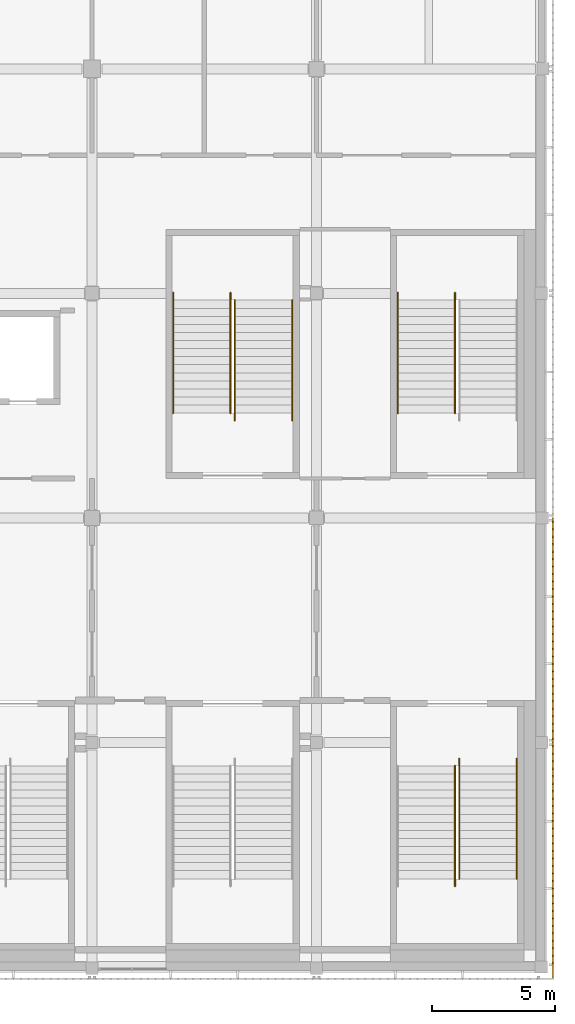
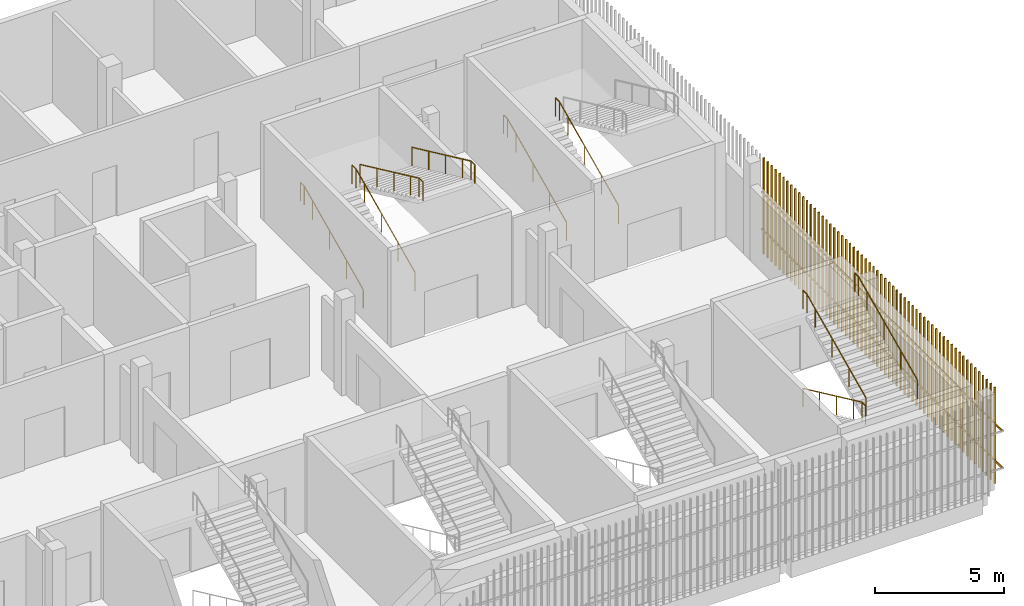
# One storey, part 117 of 124: 9 railings, 2 shading devices.
"""IFC4 building model written with IfcOpenShell, lengths in metres."""

from ifc_helpers import new_model, si_unit, direction, frame, origin, origin_2d, place, context, subcontext, project, spatial, rectangle, circle, extrude, material, type_object, element, save


model = new_model("IFC4")

# Units and contexts
model_context = context("Model", 3, precision=1e-05, world=origin(), true_north=direction((0.0, 1.0)))
body_context = subcontext(model_context, "Body", "Model", "MODEL_VIEW")
ifc_project = project(units=[si_unit("LENGTHUNIT", "METRE"), si_unit("AREAUNIT", "SQUARE_METRE"), si_unit("VOLUMEUNIT", "CUBIC_METRE"), si_unit("PLANEANGLEUNIT", "RADIAN"), si_unit("MASSUNIT", "GRAM", prefix="KILO")], contexts=[model_context])

# Site, building, storey
site_placement = place(None, origin())
site = spatial("IfcSite", under=ifc_project, at=site_placement, CompositionType="ELEMENT")
building_placement = place(site_placement, origin())
building = spatial("IfcBuilding", under=site, at=building_placement, Name="Shirokan Park Arena", CompositionType="ELEMENT")
storey_placement = place(building_placement, frame((0.0, 0.0, 20.02001953125)))
storey = spatial("IfcBuildingStorey", under=building, at=storey_placement, Name="L04", CompositionType="ELEMENT", Elevation=20.02001953125)

# Railings
ifc_material_1 = material(Name="Stainless steel", Category="steel")
railing_type = type_object("IfcRailingType", Name="Stair handrail 900", PredefinedType="HANDRAIL", material=ifc_material_1)
railing_1_placement = place(storey_placement, frame((142.110107421875, 8.14990234375, 0.151611328125)))
element("IfcRailing", 1, at=railing_1_placement, inside=storey, type_object=railing_type, Name="Handrail Exit Stair 2.A L04 to L05", PredefinedType="HANDRAIL", context=body_context, shape_type="SweptSolid", body=[
    extrude(circle(Radius=0.02392578125, at=origin_2d()), frame((0.0, 0.0, 0.8759765625), z_axis=(0.0, -0.906999720516, 0.421131222998), x_axis=(1.0, 0.0, 0.0)), (0.0, 0.0, 1.0), 1.440673828125),
    extrude(circle(Radius=0.02392578125, at=origin_2d()), frame((0.0, -1.306640625, 1.482421875), z_axis=(0.0, -0.907029769225, 0.421066500378), x_axis=(1.0, 0.0, 0.0)), (0.0, 0.0, 1.0), 1.44091796875),
    extrude(circle(Radius=0.02392578125, at=origin_2d()), frame((0.0, -2.613525390625, 2.08935546875), z_axis=(0.0, -0.907029769225, 0.421066500378), x_axis=(1.0, 0.0, 0.0)), (0.0, 0.0, 1.0), 1.44091796875),
    extrude(circle(Radius=0.02392578125, at=origin_2d()), frame((0.0, -3.92041015625, 2.69580078125), z_axis=(0.0, -0.907064445915, 0.420991794405), x_axis=(1.0, 0.0, 0.0)), (0.0, 0.0, 1.0), 0.72021484375),
    extrude(circle(Radius=0.02392578125, at=origin_2d()), frame((0.0, -4.57373046875, 2.9990234375), z_axis=(0.0, -1.0, 0.0), x_axis=(1.0, 0.0, 0.0)), (0.0, 0.0, 1.0), 0.300048828125),
    extrude(circle(Radius=0.02099609375, at=origin_2d()), origin(), (0.0, 0.0, 1.0), 0.851806640625),
    extrude(circle(Radius=0.02099609375, at=origin_2d()), frame((0.0, -1.306640625, 0.606689453125)), (0.0, 0.0, 1.0), 0.851806640625),
    extrude(circle(Radius=0.02099609375, at=origin_2d()), frame((0.0, -2.613525390625, 1.21337890625)), (0.0, 0.0, 1.0), 0.851806640625),
    extrude(circle(Radius=0.02099609375, at=origin_2d()), frame((0.0, -3.92041015625, 1.820068359375)), (0.0, 0.0, 1.0), 0.851806640625),
    extrude(circle(Radius=0.02099609375, at=origin_2d()), frame((0.0, -4.57373046875, 2.123291015625)), (0.0, 0.0, 1.0), 0.851806640625),
    extrude(circle(Radius=0.02099609375, at=origin_2d()), frame((0.0, -4.873779296875, 2.123291015625)), (0.0, 0.0, 1.0), 0.851806640625),
])
railing_2_placement = place(storey_placement, frame((142.2900390625, 3.576171875, 2.4267578125)))
element("IfcRailing", 2, at=railing_2_placement, inside=storey, type_object=railing_type, Name="Handrail Exit Stair 2.A L04 to L05", PredefinedType="HANDRAIL", context=body_context, shape_type="SweptSolid", body=[
    extrude(circle(Radius=0.02392578125, at=origin_2d()), frame((0.0, 0.0, 0.8759765625), z_axis=(0.0, 0.907094476872, 0.420927083981), x_axis=(-1.0, 0.0, 0.0)), (0.0, 0.0, 1.0), 1.440673828125),
    extrude(circle(Radius=0.02392578125, at=origin_2d()), frame((0.0, 1.306884765625, 1.482421875), z_axis=(0.0, 0.906999720516, 0.421131222998), x_axis=(-1.0, 0.0, 0.0)), (0.0, 0.0, 1.0), 1.440673828125),
    extrude(circle(Radius=0.02392578125, at=origin_2d()), frame((0.0, 2.613525390625, 2.0888671875), z_axis=(0.0, 0.907029769225, 0.421066500378), x_axis=(-1.0, 0.0, 0.0)), (0.0, 0.0, 1.0), 1.44091796875),
    extrude(circle(Radius=0.02392578125, at=origin_2d()), frame((0.0, 3.92041015625, 2.69580078125), z_axis=(0.0, 0.906934982928, 0.421270621741), x_axis=(-1.0, 0.0, 0.0)), (0.0, 0.0, 1.0), 0.720458984375),
    extrude(circle(Radius=0.02392578125, at=origin_2d()), frame((0.0, 4.57373046875, 2.9990234375), z_axis=(0.0, 1.0, 0.0), x_axis=(-1.0, 0.0, 0.0)), (0.0, 0.0, 1.0), 0.300048828125),
    extrude(circle(Radius=0.02099609375, at=origin_2d()), origin(), (0.0, 0.0, 1.0), 0.851806640625),
    extrude(circle(Radius=0.02099609375, at=origin_2d()), frame((0.0, 1.306884765625, 0.6064453125)), (0.0, 0.0, 1.0), 0.851806640625),
    extrude(circle(Radius=0.02099609375, at=origin_2d()), frame((0.0, 2.613525390625, 1.213134765625)), (0.0, 0.0, 1.0), 0.851806640625),
    extrude(circle(Radius=0.02099609375, at=origin_2d()), frame((0.0, 3.92041015625, 1.81982421875)), (0.0, 0.0, 1.0), 0.851806640625),
    extrude(circle(Radius=0.02099609375, at=origin_2d()), frame((0.0, 4.57373046875, 2.123291015625)), (0.0, 0.0, 1.0), 0.851806640625),
    extrude(circle(Radius=0.02099609375, at=origin_2d()), frame((0.0, 4.873779296875, 2.123291015625)), (0.0, 0.0, 1.0), 0.851806640625),
])
railing_3_placement = place(storey_placement, frame((144.610107421875, 3.576171875, 2.4267578125)))
element("IfcRailing", 3, at=railing_3_placement, inside=storey, type_object=railing_type, Name="Handrail Exit Stair 2.A L04 to L05", PredefinedType="HANDRAIL", context=body_context, shape_type="SweptSolid", body=[
    extrude(circle(Radius=0.02392578125, at=origin_2d()), frame((0.0, 0.0, 0.8759765625), z_axis=(0.0, 0.907094476872, 0.420927083981), x_axis=(-1.0, 0.0, 0.0)), (0.0, 0.0, 1.0), 1.440673828125),
    extrude(circle(Radius=0.02392578125, at=origin_2d()), frame((0.0, 1.306884765625, 1.482421875), z_axis=(0.0, 0.906999720516, 0.421131222998), x_axis=(-1.0, 0.0, 0.0)), (0.0, 0.0, 1.0), 1.440673828125),
    extrude(circle(Radius=0.02392578125, at=origin_2d()), frame((0.0, 2.613525390625, 2.0888671875), z_axis=(0.0, 0.907029769225, 0.421066500378), x_axis=(-1.0, 0.0, 0.0)), (0.0, 0.0, 1.0), 1.44091796875),
    extrude(circle(Radius=0.02392578125, at=origin_2d()), frame((0.0, 3.92041015625, 2.69580078125), z_axis=(0.0, 0.906934982928, 0.421270621741), x_axis=(-1.0, 0.0, 0.0)), (0.0, 0.0, 1.0), 0.720458984375),
    extrude(circle(Radius=0.02392578125, at=origin_2d()), frame((0.0, 4.57373046875, 2.9990234375), z_axis=(0.0, 1.0, 0.0), x_axis=(-1.0, 0.0, 0.0)), (0.0, 0.0, 1.0), 0.300048828125),
    extrude(circle(Radius=0.02099609375, at=origin_2d()), origin(), (0.0, 0.0, 1.0), 0.851806640625),
    extrude(circle(Radius=0.02099609375, at=origin_2d()), frame((0.0, 1.306884765625, 0.6064453125)), (0.0, 0.0, 1.0), 0.851806640625),
    extrude(circle(Radius=0.02099609375, at=origin_2d()), frame((0.0, 2.613525390625, 1.213134765625)), (0.0, 0.0, 1.0), 0.851806640625),
    extrude(circle(Radius=0.02099609375, at=origin_2d()), frame((0.0, 3.92041015625, 1.81982421875)), (0.0, 0.0, 1.0), 0.851806640625),
    extrude(circle(Radius=0.02099609375, at=origin_2d()), frame((0.0, 4.57373046875, 2.123291015625)), (0.0, 0.0, 1.0), 0.851806640625),
    extrude(circle(Radius=0.02099609375, at=origin_2d()), frame((0.0, 4.873779296875, 2.123291015625)), (0.0, 0.0, 1.0), 0.851806640625),
])
railing_4_placement = place(storey_placement, frame((139.7900390625, 22.449951171875, 0.151611328125)))
element("IfcRailing", 4, at=railing_4_placement, inside=storey, type_object=railing_type, Name="Handrail Exit Stair 2.E L04 to L05", PredefinedType="HANDRAIL", context=body_context, shape_type="SweptSolid", body=[
    extrude(circle(Radius=0.02392578125, at=origin_2d()), frame((0.0, 0.0, 0.8759765625), z_axis=(0.0, 0.907029769225, 0.421066500378), x_axis=(-1.0, 0.0, 0.0)), (0.0, 0.0, 1.0), 1.44091796875),
    extrude(circle(Radius=0.02392578125, at=origin_2d()), frame((0.0, 1.306884765625, 1.482421875), z_axis=(0.0, 0.907029769225, 0.421066500378), x_axis=(-1.0, 0.0, 0.0)), (0.0, 0.0, 1.0), 1.44091796875),
    extrude(circle(Radius=0.02392578125, at=origin_2d()), frame((0.0, 2.61376953125, 2.08935546875), z_axis=(0.0, 0.906999720516, 0.421131222998), x_axis=(-1.0, 0.0, 0.0)), (0.0, 0.0, 1.0), 1.440673828125),
    extrude(circle(Radius=0.02392578125, at=origin_2d()), frame((0.0, 3.92041015625, 2.69580078125), z_axis=(0.0, 0.907064445915, 0.420991794405), x_axis=(-1.0, 0.0, 0.0)), (0.0, 0.0, 1.0), 0.72021484375),
    extrude(circle(Radius=0.02392578125, at=origin_2d()), frame((0.0, 4.57373046875, 2.9990234375), z_axis=(0.0, 1.0, 0.0), x_axis=(-1.0, 0.0, 0.0)), (0.0, 0.0, 1.0), 0.300048828125),
    extrude(circle(Radius=0.02099609375, at=origin_2d()), origin(), (0.0, 0.0, 1.0), 0.851806640625),
    extrude(circle(Radius=0.02099609375, at=origin_2d()), frame((0.0, 1.306884765625, 0.606689453125)), (0.0, 0.0, 1.0), 0.851806640625),
    extrude(circle(Radius=0.02099609375, at=origin_2d()), frame((0.0, 2.61376953125, 1.21337890625)), (0.0, 0.0, 1.0), 0.851806640625),
    extrude(circle(Radius=0.02099609375, at=origin_2d()), frame((0.0, 3.92041015625, 1.820068359375)), (0.0, 0.0, 1.0), 0.851806640625),
    extrude(circle(Radius=0.02099609375, at=origin_2d()), frame((0.0, 4.57373046875, 2.123291015625)), (0.0, 0.0, 1.0), 0.851806640625),
    extrude(circle(Radius=0.02099609375, at=origin_2d()), frame((0.0, 4.873779296875, 2.123291015625)), (0.0, 0.0, 1.0), 0.851806640625),
])
railing_5_placement = place(storey_placement, frame((142.110107421875, 22.449951171875, 0.151611328125)))
element("IfcRailing", 5, at=railing_5_placement, inside=storey, type_object=railing_type, Name="Handrail Exit Stair 2.E L04 to L05", PredefinedType="HANDRAIL", context=body_context, shape_type="SweptSolid", body=[
    extrude(circle(Radius=0.02392578125, at=origin_2d()), frame((0.0, 0.0, 0.8759765625), z_axis=(0.0, 0.907029769225, 0.421066500378), x_axis=(-1.0, 0.0, 0.0)), (0.0, 0.0, 1.0), 1.44091796875),
    extrude(circle(Radius=0.02392578125, at=origin_2d()), frame((0.0, 1.306884765625, 1.482421875), z_axis=(0.0, 0.907029769225, 0.421066500378), x_axis=(-1.0, 0.0, 0.0)), (0.0, 0.0, 1.0), 1.44091796875),
    extrude(circle(Radius=0.02392578125, at=origin_2d()), frame((0.0, 2.61376953125, 2.08935546875), z_axis=(0.0, 0.906999720516, 0.421131222998), x_axis=(-1.0, 0.0, 0.0)), (0.0, 0.0, 1.0), 1.440673828125),
    extrude(circle(Radius=0.02392578125, at=origin_2d()), frame((0.0, 3.92041015625, 2.69580078125), z_axis=(0.0, 0.907064445915, 0.420991794405), x_axis=(-1.0, 0.0, 0.0)), (0.0, 0.0, 1.0), 0.72021484375),
    extrude(circle(Radius=0.02392578125, at=origin_2d()), frame((0.0, 4.57373046875, 2.9990234375), z_axis=(0.0, 1.0, 0.0), x_axis=(-1.0, 0.0, 0.0)), (0.0, 0.0, 1.0), 0.300048828125),
    extrude(circle(Radius=0.02099609375, at=origin_2d()), origin(), (0.0, 0.0, 1.0), 0.851806640625),
    extrude(circle(Radius=0.02099609375, at=origin_2d()), frame((0.0, 1.306884765625, 0.606689453125)), (0.0, 0.0, 1.0), 0.851806640625),
    extrude(circle(Radius=0.02099609375, at=origin_2d()), frame((0.0, 2.61376953125, 1.21337890625)), (0.0, 0.0, 1.0), 0.851806640625),
    extrude(circle(Radius=0.02099609375, at=origin_2d()), frame((0.0, 3.92041015625, 1.820068359375)), (0.0, 0.0, 1.0), 0.851806640625),
    extrude(circle(Radius=0.02099609375, at=origin_2d()), frame((0.0, 4.57373046875, 2.123291015625)), (0.0, 0.0, 1.0), 0.851806640625),
    extrude(circle(Radius=0.02099609375, at=origin_2d()), frame((0.0, 4.873779296875, 2.123291015625)), (0.0, 0.0, 1.0), 0.851806640625),
])
railing_6_placement = place(storey_placement, frame((130.68994140625, 22.449951171875, 0.151611328125)))
element("IfcRailing", 6, at=railing_6_placement, inside=storey, type_object=railing_type, Name="Handrail Exit Stair 2.F L04 to L05", PredefinedType="HANDRAIL", context=body_context, shape_type="SweptSolid", body=[
    extrude(circle(Radius=0.02392578125, at=origin_2d()), frame((0.0, 0.0, 0.8759765625), z_axis=(0.0, 0.907029769225, 0.421066500378), x_axis=(-1.0, 0.0, 0.0)), (0.0, 0.0, 1.0), 1.44091796875),
    extrude(circle(Radius=0.02392578125, at=origin_2d()), frame((0.0, 1.306884765625, 1.482421875), z_axis=(0.0, 0.907029769225, 0.421066500378), x_axis=(-1.0, 0.0, 0.0)), (0.0, 0.0, 1.0), 1.44091796875),
    extrude(circle(Radius=0.02392578125, at=origin_2d()), frame((0.0, 2.61376953125, 2.08935546875), z_axis=(0.0, 0.906999720516, 0.421131222998), x_axis=(-1.0, 0.0, 0.0)), (0.0, 0.0, 1.0), 1.440673828125),
    extrude(circle(Radius=0.02392578125, at=origin_2d()), frame((0.0, 3.92041015625, 2.69580078125), z_axis=(0.0, 0.907064445915, 0.420991794405), x_axis=(-1.0, 0.0, 0.0)), (0.0, 0.0, 1.0), 0.72021484375),
    extrude(circle(Radius=0.02392578125, at=origin_2d()), frame((0.0, 4.57373046875, 2.9990234375), z_axis=(0.0, 1.0, 0.0), x_axis=(-1.0, 0.0, 0.0)), (0.0, 0.0, 1.0), 0.300048828125),
    extrude(circle(Radius=0.02099609375, at=origin_2d()), origin(), (0.0, 0.0, 1.0), 0.851806640625),
    extrude(circle(Radius=0.02099609375, at=origin_2d()), frame((0.0, 1.306884765625, 0.606689453125)), (0.0, 0.0, 1.0), 0.851806640625),
    extrude(circle(Radius=0.02099609375, at=origin_2d()), frame((0.0, 2.61376953125, 1.21337890625)), (0.0, 0.0, 1.0), 0.851806640625),
    extrude(circle(Radius=0.02099609375, at=origin_2d()), frame((0.0, 3.92041015625, 1.820068359375)), (0.0, 0.0, 1.0), 0.851806640625),
    extrude(circle(Radius=0.02099609375, at=origin_2d()), frame((0.0, 4.57373046875, 2.123291015625)), (0.0, 0.0, 1.0), 0.851806640625),
    extrude(circle(Radius=0.02099609375, at=origin_2d()), frame((0.0, 4.873779296875, 2.123291015625)), (0.0, 0.0, 1.0), 0.851806640625),
])
railing_7_placement = place(storey_placement, frame((133.010009765625, 22.449951171875, 0.151611328125)))
element("IfcRailing", 7, at=railing_7_placement, inside=storey, type_object=railing_type, Name="Handrail Exit Stair 2.F L04 to L05", PredefinedType="HANDRAIL", context=body_context, shape_type="SweptSolid", body=[
    extrude(circle(Radius=0.02392578125, at=origin_2d()), frame((0.0, 0.0, 0.8759765625), z_axis=(0.0, 0.907029769225, 0.421066500378), x_axis=(-1.0, 0.0, 0.0)), (0.0, 0.0, 1.0), 1.44091796875),
    extrude(circle(Radius=0.02392578125, at=origin_2d()), frame((0.0, 1.306884765625, 1.482421875), z_axis=(0.0, 0.907029769225, 0.421066500378), x_axis=(-1.0, 0.0, 0.0)), (0.0, 0.0, 1.0), 1.44091796875),
    extrude(circle(Radius=0.02392578125, at=origin_2d()), frame((0.0, 2.61376953125, 2.08935546875), z_axis=(0.0, 0.906999720516, 0.421131222998), x_axis=(-1.0, 0.0, 0.0)), (0.0, 0.0, 1.0), 1.440673828125),
    extrude(circle(Radius=0.02392578125, at=origin_2d()), frame((0.0, 3.92041015625, 2.69580078125), z_axis=(0.0, 0.907064445915, 0.420991794405), x_axis=(-1.0, 0.0, 0.0)), (0.0, 0.0, 1.0), 0.72021484375),
    extrude(circle(Radius=0.02392578125, at=origin_2d()), frame((0.0, 4.57373046875, 2.9990234375), z_axis=(0.0, 1.0, 0.0), x_axis=(-1.0, 0.0, 0.0)), (0.0, 0.0, 1.0), 0.300048828125),
    extrude(circle(Radius=0.02099609375, at=origin_2d()), origin(), (0.0, 0.0, 1.0), 0.851806640625),
    extrude(circle(Radius=0.02099609375, at=origin_2d()), frame((0.0, 1.306884765625, 0.606689453125)), (0.0, 0.0, 1.0), 0.851806640625),
    extrude(circle(Radius=0.02099609375, at=origin_2d()), frame((0.0, 2.61376953125, 1.21337890625)), (0.0, 0.0, 1.0), 0.851806640625),
    extrude(circle(Radius=0.02099609375, at=origin_2d()), frame((0.0, 3.92041015625, 1.820068359375)), (0.0, 0.0, 1.0), 0.851806640625),
    extrude(circle(Radius=0.02099609375, at=origin_2d()), frame((0.0, 4.57373046875, 2.123291015625)), (0.0, 0.0, 1.0), 0.851806640625),
    extrude(circle(Radius=0.02099609375, at=origin_2d()), frame((0.0, 4.873779296875, 2.123291015625)), (0.0, 0.0, 1.0), 0.851806640625),
])
railing_8_placement = place(storey_placement, frame((133.18994140625, 27.023681640625, 2.4267578125)))
element("IfcRailing", 8, at=railing_8_placement, inside=storey, type_object=railing_type, Name="Handrail Exit Stair 2.F L04 to L05", PredefinedType="HANDRAIL", context=body_context, shape_type="SweptSolid", body=[
    extrude(circle(Radius=0.02392578125, at=origin_2d()), frame((0.0, 0.0, 0.8759765625), z_axis=(0.0, -0.907064445915, 0.420991794405), x_axis=(1.0, 0.0, 0.0)), (0.0, 0.0, 1.0), 1.4404296875),
    extrude(circle(Radius=0.02392578125, at=origin_2d()), frame((0.0, -1.306640625, 1.482421875), z_axis=(0.0, -0.907029769225, 0.421066500378), x_axis=(1.0, 0.0, 0.0)), (0.0, 0.0, 1.0), 1.44091796875),
    extrude(circle(Radius=0.02392578125, at=origin_2d()), frame((0.0, -2.613525390625, 2.0888671875), z_axis=(0.0, -0.906999720516, 0.421131222998), x_axis=(1.0, 0.0, 0.0)), (0.0, 0.0, 1.0), 1.440673828125),
    extrude(circle(Radius=0.02392578125, at=origin_2d()), frame((0.0, -3.920166015625, 2.69580078125), z_axis=(0.0, -0.906995101989, 0.421141169881), x_axis=(1.0, 0.0, 0.0)), (0.0, 0.0, 1.0), 0.720703125),
    extrude(circle(Radius=0.02392578125, at=origin_2d()), frame((0.0, -4.57373046875, 2.9990234375), z_axis=(0.0, -1.0, 0.0), x_axis=(1.0, 0.0, 0.0)), (0.0, 0.0, 1.0), 0.300048828125),
    extrude(circle(Radius=0.02099609375, at=origin_2d()), origin(), (0.0, 0.0, 1.0), 0.851806640625),
    extrude(circle(Radius=0.02099609375, at=origin_2d()), frame((0.0, -1.306640625, 0.6064453125)), (0.0, 0.0, 1.0), 0.851806640625),
    extrude(circle(Radius=0.02099609375, at=origin_2d()), frame((0.0, -2.613525390625, 1.213134765625)), (0.0, 0.0, 1.0), 0.851806640625),
    extrude(circle(Radius=0.02099609375, at=origin_2d()), frame((0.0, -3.920166015625, 1.81982421875)), (0.0, 0.0, 1.0), 0.851806640625),
    extrude(circle(Radius=0.02099609375, at=origin_2d()), frame((0.0, -4.57373046875, 2.123291015625)), (0.0, 0.0, 1.0), 0.851806640625),
    extrude(circle(Radius=0.02099609375, at=origin_2d()), frame((0.0, -4.873779296875, 2.123291015625)), (0.0, 0.0, 1.0), 0.851806640625),
])
railing_9_placement = place(storey_placement, frame((135.510009765625, 27.023681640625, 2.4267578125)))
element("IfcRailing", 9, at=railing_9_placement, inside=storey, type_object=railing_type, Name="Handrail Exit Stair 2.F L04 to L05", PredefinedType="HANDRAIL", context=body_context, shape_type="SweptSolid", body=[
    extrude(circle(Radius=0.02392578125, at=origin_2d()), frame((0.0, 0.0, 0.8759765625), z_axis=(0.0, -0.907064445915, 0.420991794405), x_axis=(1.0, 0.0, 0.0)), (0.0, 0.0, 1.0), 1.4404296875),
    extrude(circle(Radius=0.02392578125, at=origin_2d()), frame((0.0, -1.306640625, 1.482421875), z_axis=(0.0, -0.907029769225, 0.421066500378), x_axis=(1.0, 0.0, 0.0)), (0.0, 0.0, 1.0), 1.44091796875),
    extrude(circle(Radius=0.02392578125, at=origin_2d()), frame((0.0, -2.613525390625, 2.0888671875), z_axis=(0.0, -0.906999720516, 0.421131222998), x_axis=(1.0, 0.0, 0.0)), (0.0, 0.0, 1.0), 1.440673828125),
    extrude(circle(Radius=0.02392578125, at=origin_2d()), frame((0.0, -3.920166015625, 2.69580078125), z_axis=(0.0, -0.906995101989, 0.421141169881), x_axis=(1.0, 0.0, 0.0)), (0.0, 0.0, 1.0), 0.720703125),
    extrude(circle(Radius=0.02392578125, at=origin_2d()), frame((0.0, -4.57373046875, 2.9990234375), z_axis=(0.0, -1.0, 0.0), x_axis=(1.0, 0.0, 0.0)), (0.0, 0.0, 1.0), 0.300048828125),
    extrude(circle(Radius=0.02099609375, at=origin_2d()), origin(), (0.0, 0.0, 1.0), 0.851806640625),
    extrude(circle(Radius=0.02099609375, at=origin_2d()), frame((0.0, -1.306640625, 0.6064453125)), (0.0, 0.0, 1.0), 0.851806640625),
    extrude(circle(Radius=0.02099609375, at=origin_2d()), frame((0.0, -2.613525390625, 1.213134765625)), (0.0, 0.0, 1.0), 0.851806640625),
    extrude(circle(Radius=0.02099609375, at=origin_2d()), frame((0.0, -3.920166015625, 1.81982421875)), (0.0, 0.0, 1.0), 0.851806640625),
    extrude(circle(Radius=0.02099609375, at=origin_2d()), frame((0.0, -4.57373046875, 2.123291015625)), (0.0, 0.0, 1.0), 0.851806640625),
    extrude(circle(Radius=0.02099609375, at=origin_2d()), frame((0.0, -4.873779296875, 2.123291015625)), (0.0, 0.0, 1.0), 0.851806640625),
])

# Shading devices
ifc_material_2 = material(Name="Timber louvre veil (cedar)", Category="wood")
shading_device_type = type_object("IfcShadingDeviceType", Name="Timber louvre veil panel", PredefinedType="JALOUSIE", material=ifc_material_2)
shading_device_1_placement = place(storey_placement, origin())
element("IfcShadingDevice", 10, at=shading_device_1_placement, inside=storey, type_object=shading_device_type, Name="Timber louvre veil east bay 1 L04", PredefinedType="JALOUSIE", context=body_context, shape_type="SweptSolid", body=[
    extrude(rectangle(XDim=0.050048828125, YDim=0.080078125, at=origin_2d()), frame((146.0849609375, 0.151611328125, 0.0), z_axis=(0.0, 0.0, 1.0), x_axis=(0.0, 1.0, 0.0)), (0.0, 0.0, 1.0), 4.550048828125),
    extrude(rectangle(XDim=0.050048828125, YDim=0.080078125, at=origin_2d()), frame((146.0849609375, 0.455078125, 0.0), z_axis=(0.0, 0.0, 1.0), x_axis=(0.0, 1.0, 0.0)), (0.0, 0.0, 1.0), 4.550048828125),
    extrude(rectangle(XDim=0.050048828125, YDim=0.080078125, at=origin_2d()), frame((146.0849609375, 0.75830078125, 0.0), z_axis=(0.0, 0.0, 1.0), x_axis=(0.0, 1.0, 0.0)), (0.0, 0.0, 1.0), 4.550048828125),
    extrude(rectangle(XDim=0.050048828125, YDim=0.080078125, at=origin_2d()), frame((146.0849609375, 1.061767578125, 0.0), z_axis=(0.0, 0.0, 1.0), x_axis=(0.0, 1.0, 0.0)), (0.0, 0.0, 1.0), 4.550048828125),
    extrude(rectangle(XDim=0.050048828125, YDim=0.080078125, at=origin_2d()), frame((146.0849609375, 1.364990234375, 0.0), z_axis=(0.0, 0.0, 1.0), x_axis=(0.0, 1.0, 0.0)), (0.0, 0.0, 1.0), 4.550048828125),
    extrude(rectangle(XDim=0.050048828125, YDim=0.080078125, at=origin_2d()), frame((146.0849609375, 1.668212890625, 0.0), z_axis=(0.0, 0.0, 1.0), x_axis=(0.0, 1.0, 0.0)), (0.0, 0.0, 1.0), 4.550048828125),
    extrude(rectangle(XDim=0.050048828125, YDim=0.080078125, at=origin_2d()), frame((146.0849609375, 1.9716796875, 0.0), z_axis=(0.0, 0.0, 1.0), x_axis=(0.0, 1.0, 0.0)), (0.0, 0.0, 1.0), 4.550048828125),
    extrude(rectangle(XDim=0.050048828125, YDim=0.080078125, at=origin_2d()), frame((146.0849609375, 2.27490234375, 0.0), z_axis=(0.0, 0.0, 1.0), x_axis=(0.0, 1.0, 0.0)), (0.0, 0.0, 1.0), 4.550048828125),
    extrude(rectangle(XDim=0.050048828125, YDim=0.080078125, at=origin_2d()), frame((146.0849609375, 2.578369140625, 0.0), z_axis=(0.0, 0.0, 1.0), x_axis=(0.0, 1.0, 0.0)), (0.0, 0.0, 1.0), 4.550048828125),
    extrude(rectangle(XDim=0.050048828125, YDim=0.080078125, at=origin_2d()), frame((146.0849609375, 2.881591796875, 0.0), z_axis=(0.0, 0.0, 1.0), x_axis=(0.0, 1.0, 0.0)), (0.0, 0.0, 1.0), 4.550048828125),
    extrude(rectangle(XDim=0.050048828125, YDim=0.080078125, at=origin_2d()), frame((146.0849609375, 3.18505859375, 0.0), z_axis=(0.0, 0.0, 1.0), x_axis=(0.0, 1.0, 0.0)), (0.0, 0.0, 1.0), 4.550048828125),
    extrude(rectangle(XDim=0.050048828125, YDim=0.080078125, at=origin_2d()), frame((146.0849609375, 3.48828125, 0.0), z_axis=(0.0, 0.0, 1.0), x_axis=(0.0, 1.0, 0.0)), (0.0, 0.0, 1.0), 4.550048828125),
    extrude(rectangle(XDim=0.050048828125, YDim=0.080078125, at=origin_2d()), frame((146.0849609375, 3.791748046875, 0.0), z_axis=(0.0, 0.0, 1.0), x_axis=(0.0, 1.0, 0.0)), (0.0, 0.0, 1.0), 4.550048828125),
    extrude(rectangle(XDim=0.050048828125, YDim=0.080078125, at=origin_2d()), frame((146.0849609375, 4.094970703125, 0.0), z_axis=(0.0, 0.0, 1.0), x_axis=(0.0, 1.0, 0.0)), (0.0, 0.0, 1.0), 4.550048828125),
    extrude(rectangle(XDim=0.050048828125, YDim=0.080078125, at=origin_2d()), frame((146.0849609375, 4.3984375, 0.0), z_axis=(0.0, 0.0, 1.0), x_axis=(0.0, 1.0, 0.0)), (0.0, 0.0, 1.0), 4.550048828125),
    extrude(rectangle(XDim=0.050048828125, YDim=0.080078125, at=origin_2d()), frame((146.0849609375, 4.70166015625, 0.0), z_axis=(0.0, 0.0, 1.0), x_axis=(0.0, 1.0, 0.0)), (0.0, 0.0, 1.0), 4.550048828125),
    extrude(rectangle(XDim=0.050048828125, YDim=0.080078125, at=origin_2d()), frame((146.0849609375, 5.0048828125, 0.0), z_axis=(0.0, 0.0, 1.0), x_axis=(0.0, 1.0, 0.0)), (0.0, 0.0, 1.0), 4.550048828125),
    extrude(rectangle(XDim=0.050048828125, YDim=0.080078125, at=origin_2d()), frame((146.0849609375, 5.308349609375, 0.0), z_axis=(0.0, 0.0, 1.0), x_axis=(0.0, 1.0, 0.0)), (0.0, 0.0, 1.0), 4.550048828125),
    extrude(rectangle(XDim=0.050048828125, YDim=0.080078125, at=origin_2d()), frame((146.0849609375, 5.611572265625, 0.0), z_axis=(0.0, 0.0, 1.0), x_axis=(0.0, 1.0, 0.0)), (0.0, 0.0, 1.0), 4.550048828125),
    extrude(rectangle(XDim=0.050048828125, YDim=0.080078125, at=origin_2d()), frame((146.0849609375, 5.9150390625, 0.0), z_axis=(0.0, 0.0, 1.0), x_axis=(0.0, 1.0, 0.0)), (0.0, 0.0, 1.0), 4.550048828125),
    extrude(rectangle(XDim=0.050048828125, YDim=0.080078125, at=origin_2d()), frame((146.0849609375, 6.21826171875, 0.0), z_axis=(0.0, 0.0, 1.0), x_axis=(0.0, 1.0, 0.0)), (0.0, 0.0, 1.0), 4.550048828125),
    extrude(rectangle(XDim=0.050048828125, YDim=0.080078125, at=origin_2d()), frame((146.0849609375, 6.521728515625, 0.0), z_axis=(0.0, 0.0, 1.0), x_axis=(0.0, 1.0, 0.0)), (0.0, 0.0, 1.0), 4.550048828125),
    extrude(rectangle(XDim=0.050048828125, YDim=0.080078125, at=origin_2d()), frame((146.0849609375, 6.824951171875, 0.0), z_axis=(0.0, 0.0, 1.0), x_axis=(0.0, 1.0, 0.0)), (0.0, 0.0, 1.0), 4.550048828125),
    extrude(rectangle(XDim=0.050048828125, YDim=0.080078125, at=origin_2d()), frame((146.0849609375, 7.12841796875, 0.0), z_axis=(0.0, 0.0, 1.0), x_axis=(0.0, 1.0, 0.0)), (0.0, 0.0, 1.0), 4.550048828125),
    extrude(rectangle(XDim=0.050048828125, YDim=0.080078125, at=origin_2d()), frame((146.0849609375, 7.431640625, 0.0), z_axis=(0.0, 0.0, 1.0), x_axis=(0.0, 1.0, 0.0)), (0.0, 0.0, 1.0), 4.550048828125),
    extrude(rectangle(XDim=0.050048828125, YDim=0.080078125, at=origin_2d()), frame((146.0849609375, 7.735107421875, 0.0), z_axis=(0.0, 0.0, 1.0), x_axis=(0.0, 1.0, 0.0)), (0.0, 0.0, 1.0), 4.550048828125),
    extrude(rectangle(XDim=0.050048828125, YDim=0.080078125, at=origin_2d()), frame((146.0849609375, 8.038330078125, 0.0), z_axis=(0.0, 0.0, 1.0), x_axis=(0.0, 1.0, 0.0)), (0.0, 0.0, 1.0), 4.550048828125),
    extrude(rectangle(XDim=0.050048828125, YDim=0.080078125, at=origin_2d()), frame((146.0849609375, 8.341552734375, 0.0), z_axis=(0.0, 0.0, 1.0), x_axis=(0.0, 1.0, 0.0)), (0.0, 0.0, 1.0), 4.550048828125),
    extrude(rectangle(XDim=0.050048828125, YDim=0.080078125, at=origin_2d()), frame((146.0849609375, 8.64501953125, 0.0), z_axis=(0.0, 0.0, 1.0), x_axis=(0.0, 1.0, 0.0)), (0.0, 0.0, 1.0), 4.550048828125),
    extrude(rectangle(XDim=0.050048828125, YDim=0.080078125, at=origin_2d()), frame((146.0849609375, 8.9482421875, 0.0), z_axis=(0.0, 0.0, 1.0), x_axis=(0.0, 1.0, 0.0)), (0.0, 0.0, 1.0), 4.550048828125),
    extrude(rectangle(XDim=9.544921875, YDim=0.050048828125, at=origin_2d()), frame((146.070068359375, 4.327392578125, 1.06005859375), z_axis=(0.0, 0.0, 1.0), x_axis=(0.0, 1.0, 0.0)), (0.0, 0.0, 1.0), 0.080078125),
    extrude(rectangle(XDim=9.544921875, YDim=0.050048828125, at=origin_2d()), frame((146.070068359375, 4.327392578125, 2.81005859375), z_axis=(0.0, 0.0, 1.0), x_axis=(0.0, 1.0, 0.0)), (0.0, 0.0, 1.0), 0.080078125),
])
shading_device_2_placement = place(storey_placement, origin())
element("IfcShadingDevice", 11, at=shading_device_2_placement, inside=storey, type_object=shading_device_type, Name="Timber louvre veil east bay 2 L04", PredefinedType="JALOUSIE", context=body_context, shape_type="SweptSolid", body=[
    extrude(rectangle(XDim=0.050048828125, YDim=0.080078125, at=origin_2d()), frame((146.0849609375, 9.251708984375, 0.0), z_axis=(0.0, 0.0, 1.0), x_axis=(0.0, 1.0, 0.0)), (0.0, 0.0, 1.0), 4.550048828125),
    extrude(rectangle(XDim=0.050048828125, YDim=0.080078125, at=origin_2d()), frame((146.0849609375, 9.554931640625, 0.0), z_axis=(0.0, 0.0, 1.0), x_axis=(0.0, 1.0, 0.0)), (0.0, 0.0, 1.0), 4.550048828125),
    extrude(rectangle(XDim=0.050048828125, YDim=0.080078125, at=origin_2d()), frame((146.0849609375, 9.8583984375, 0.0), z_axis=(0.0, 0.0, 1.0), x_axis=(0.0, 1.0, 0.0)), (0.0, 0.0, 1.0), 4.550048828125),
    extrude(rectangle(XDim=0.050048828125, YDim=0.080078125, at=origin_2d()), frame((146.0849609375, 10.16162109375, 0.0), z_axis=(0.0, 0.0, 1.0), x_axis=(0.0, 1.0, 0.0)), (0.0, 0.0, 1.0), 4.550048828125),
    extrude(rectangle(XDim=0.050048828125, YDim=0.080078125, at=origin_2d()), frame((146.0849609375, 10.465087890625, 0.0), z_axis=(0.0, 0.0, 1.0), x_axis=(0.0, 1.0, 0.0)), (0.0, 0.0, 1.0), 4.550048828125),
    extrude(rectangle(XDim=0.050048828125, YDim=0.080078125, at=origin_2d()), frame((146.0849609375, 10.768310546875, 0.0), z_axis=(0.0, 0.0, 1.0), x_axis=(0.0, 1.0, 0.0)), (0.0, 0.0, 1.0), 4.550048828125),
    extrude(rectangle(XDim=0.050048828125, YDim=0.080078125, at=origin_2d()), frame((146.0849609375, 11.07177734375, 0.0), z_axis=(0.0, 0.0, 1.0), x_axis=(0.0, 1.0, 0.0)), (0.0, 0.0, 1.0), 4.550048828125),
    extrude(rectangle(XDim=0.050048828125, YDim=0.080078125, at=origin_2d()), frame((146.0849609375, 11.375, 0.0), z_axis=(0.0, 0.0, 1.0), x_axis=(0.0, 1.0, 0.0)), (0.0, 0.0, 1.0), 4.550048828125),
    extrude(rectangle(XDim=0.050048828125, YDim=0.080078125, at=origin_2d()), frame((146.0849609375, 11.67822265625, 0.0), z_axis=(0.0, 0.0, 1.0), x_axis=(0.0, 1.0, 0.0)), (0.0, 0.0, 1.0), 4.550048828125),
    extrude(rectangle(XDim=0.050048828125, YDim=0.080078125, at=origin_2d()), frame((146.0849609375, 11.981689453125, 0.0), z_axis=(0.0, 0.0, 1.0), x_axis=(0.0, 1.0, 0.0)), (0.0, 0.0, 1.0), 4.550048828125),
    extrude(rectangle(XDim=0.050048828125, YDim=0.080078125, at=origin_2d()), frame((146.0849609375, 12.284912109375, 0.0), z_axis=(0.0, 0.0, 1.0), x_axis=(0.0, 1.0, 0.0)), (0.0, 0.0, 1.0), 4.550048828125),
    extrude(rectangle(XDim=0.050048828125, YDim=0.080078125, at=origin_2d()), frame((146.0849609375, 12.58837890625, 0.0), z_axis=(0.0, 0.0, 1.0), x_axis=(0.0, 1.0, 0.0)), (0.0, 0.0, 1.0), 4.550048828125),
    extrude(rectangle(XDim=0.050048828125, YDim=0.080078125, at=origin_2d()), frame((146.0849609375, 12.8916015625, 0.0), z_axis=(0.0, 0.0, 1.0), x_axis=(0.0, 1.0, 0.0)), (0.0, 0.0, 1.0), 4.550048828125),
    extrude(rectangle(XDim=0.050048828125, YDim=0.080078125, at=origin_2d()), frame((146.0849609375, 13.195068359375, 0.0), z_axis=(0.0, 0.0, 1.0), x_axis=(0.0, 1.0, 0.0)), (0.0, 0.0, 1.0), 4.550048828125),
    extrude(rectangle(XDim=0.050048828125, YDim=0.080078125, at=origin_2d()), frame((146.0849609375, 13.498291015625, 0.0), z_axis=(0.0, 0.0, 1.0), x_axis=(0.0, 1.0, 0.0)), (0.0, 0.0, 1.0), 4.550048828125),
    extrude(rectangle(XDim=0.050048828125, YDim=0.080078125, at=origin_2d()), frame((146.0849609375, 13.8017578125, 0.0), z_axis=(0.0, 0.0, 1.0), x_axis=(0.0, 1.0, 0.0)), (0.0, 0.0, 1.0), 4.550048828125),
    extrude(rectangle(XDim=0.050048828125, YDim=0.080078125, at=origin_2d()), frame((146.0849609375, 14.10498046875, 0.0), z_axis=(0.0, 0.0, 1.0), x_axis=(0.0, 1.0, 0.0)), (0.0, 0.0, 1.0), 4.550048828125),
    extrude(rectangle(XDim=0.050048828125, YDim=0.080078125, at=origin_2d()), frame((146.0849609375, 14.408447265625, 0.0), z_axis=(0.0, 0.0, 1.0), x_axis=(0.0, 1.0, 0.0)), (0.0, 0.0, 1.0), 4.550048828125),
    extrude(rectangle(XDim=0.050048828125, YDim=0.080078125, at=origin_2d()), frame((146.0849609375, 14.711669921875, 0.0), z_axis=(0.0, 0.0, 1.0), x_axis=(0.0, 1.0, 0.0)), (0.0, 0.0, 1.0), 4.550048828125),
    extrude(rectangle(XDim=0.050048828125, YDim=0.080078125, at=origin_2d()), frame((146.0849609375, 15.014892578125, 0.0), z_axis=(0.0, 0.0, 1.0), x_axis=(0.0, 1.0, 0.0)), (0.0, 0.0, 1.0), 4.550048828125),
    extrude(rectangle(XDim=0.050048828125, YDim=0.080078125, at=origin_2d()), frame((146.0849609375, 15.318359375, 0.0), z_axis=(0.0, 0.0, 1.0), x_axis=(0.0, 1.0, 0.0)), (0.0, 0.0, 1.0), 4.550048828125),
    extrude(rectangle(XDim=0.050048828125, YDim=0.080078125, at=origin_2d()), frame((146.0849609375, 15.62158203125, 0.0), z_axis=(0.0, 0.0, 1.0), x_axis=(0.0, 1.0, 0.0)), (0.0, 0.0, 1.0), 4.550048828125),
    extrude(rectangle(XDim=0.050048828125, YDim=0.080078125, at=origin_2d()), frame((146.0849609375, 15.925048828125, 0.0), z_axis=(0.0, 0.0, 1.0), x_axis=(0.0, 1.0, 0.0)), (0.0, 0.0, 1.0), 4.550048828125),
    extrude(rectangle(XDim=0.050048828125, YDim=0.080078125, at=origin_2d()), frame((146.0849609375, 16.228271484375, 0.0), z_axis=(0.0, 0.0, 1.0), x_axis=(0.0, 1.0, 0.0)), (0.0, 0.0, 1.0), 4.550048828125),
    extrude(rectangle(XDim=0.050048828125, YDim=0.080078125, at=origin_2d()), frame((146.0849609375, 16.53173828125, 0.0), z_axis=(0.0, 0.0, 1.0), x_axis=(0.0, 1.0, 0.0)), (0.0, 0.0, 1.0), 4.550048828125),
    extrude(rectangle(XDim=0.050048828125, YDim=0.080078125, at=origin_2d()), frame((146.0849609375, 16.8349609375, 0.0), z_axis=(0.0, 0.0, 1.0), x_axis=(0.0, 1.0, 0.0)), (0.0, 0.0, 1.0), 4.550048828125),
    extrude(rectangle(XDim=0.050048828125, YDim=0.080078125, at=origin_2d()), frame((146.0849609375, 17.138427734375, 0.0), z_axis=(0.0, 0.0, 1.0), x_axis=(0.0, 1.0, 0.0)), (0.0, 0.0, 1.0), 4.550048828125),
    extrude(rectangle(XDim=0.050048828125, YDim=0.080078125, at=origin_2d()), frame((146.0849609375, 17.441650390625, 0.0), z_axis=(0.0, 0.0, 1.0), x_axis=(0.0, 1.0, 0.0)), (0.0, 0.0, 1.0), 4.550048828125),
    extrude(rectangle(XDim=0.050048828125, YDim=0.080078125, at=origin_2d()), frame((146.0849609375, 17.7451171875, 0.0), z_axis=(0.0, 0.0, 1.0), x_axis=(0.0, 1.0, 0.0)), (0.0, 0.0, 1.0), 4.550048828125),
    extrude(rectangle(XDim=0.050048828125, YDim=0.080078125, at=origin_2d()), frame((146.0849609375, 18.04833984375, 0.0), z_axis=(0.0, 0.0, 1.0), x_axis=(0.0, 1.0, 0.0)), (0.0, 0.0, 1.0), 4.550048828125),
    extrude(rectangle(XDim=9.10009765625, YDim=0.050048828125, at=origin_2d()), frame((146.070068359375, 13.64990234375, 1.06005859375), z_axis=(0.0, 0.0, 1.0), x_axis=(0.0, 1.0, 0.0)), (0.0, 0.0, 1.0), 0.080078125),
    extrude(rectangle(XDim=9.10009765625, YDim=0.050048828125, at=origin_2d()), frame((146.070068359375, 13.64990234375, 2.81005859375), z_axis=(0.0, 0.0, 1.0), x_axis=(0.0, 1.0, 0.0)), (0.0, 0.0, 1.0), 0.080078125),
])

save(model, "model.ifc")
